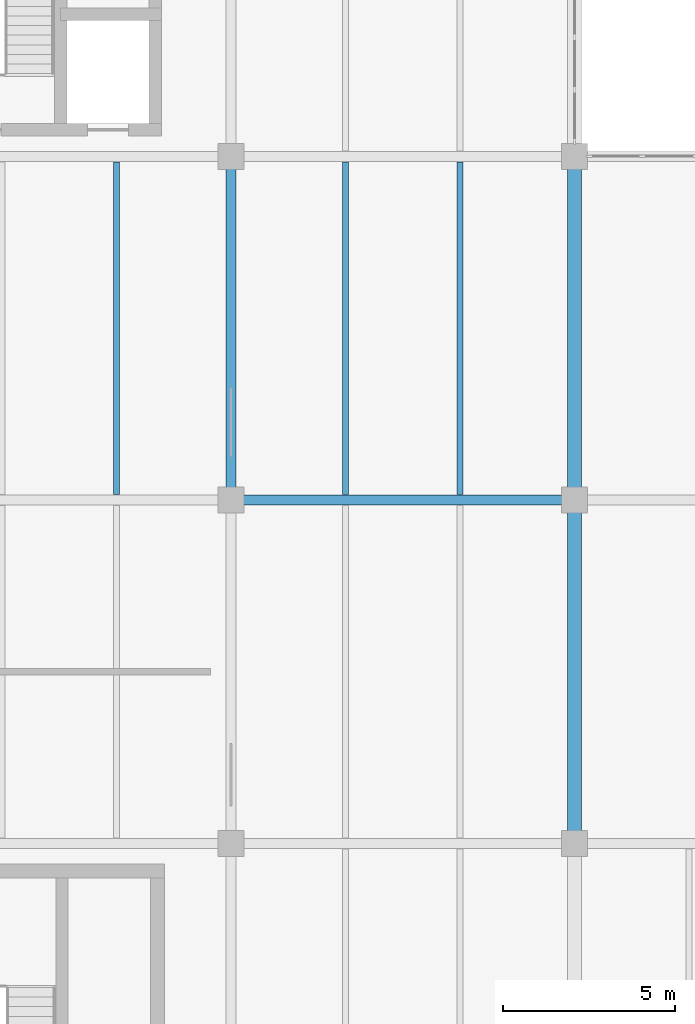
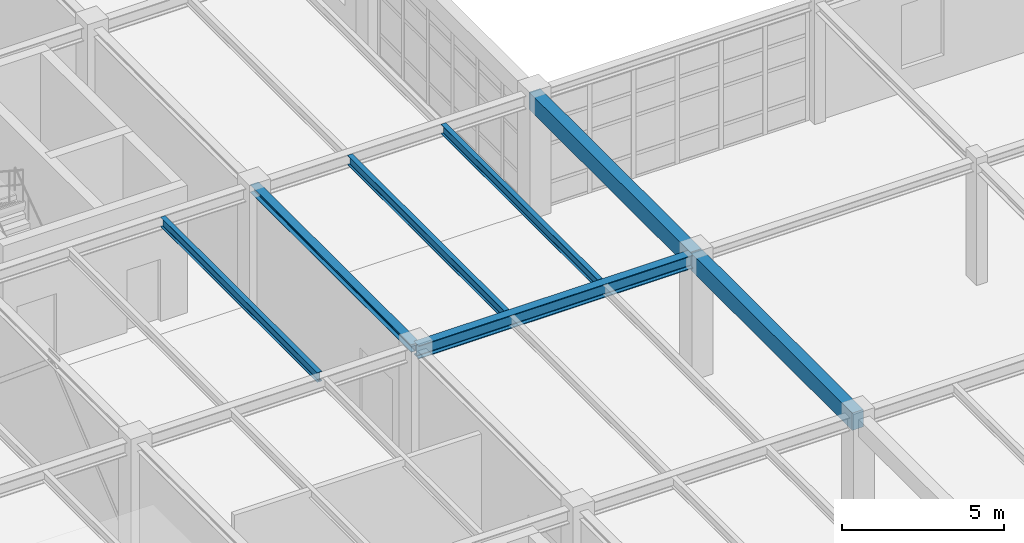
# One storey, part 32 of 139: 7 beams.
"""IFC4 building model written with IfcOpenShell, lengths in metres."""

from ifc_helpers import new_model, si_unit, direction, frame, origin, origin_2d, place, context, subcontext, project, spatial, rectangle, i_section, extrude, material, material_profile, profile_set, type_object, element, save


model = new_model("IFC4")

# Units and contexts
model_context = context("Model", 3, precision=1e-05, world=origin(), true_north=direction((0.0, 1.0)))
body_context = subcontext(model_context, "Body", "Model", "MODEL_VIEW")
ifc_project = project(units=[si_unit("LENGTHUNIT", "METRE"), si_unit("AREAUNIT", "SQUARE_METRE"), si_unit("VOLUMEUNIT", "CUBIC_METRE"), si_unit("PLANEANGLEUNIT", "RADIAN"), si_unit("MASSUNIT", "GRAM", prefix="KILO"), si_unit("THERMODYNAMICTEMPERATUREUNIT", "KELVIN"), si_unit("POWERUNIT", "WATT")], contexts=[model_context])

# Site, building, storey
site_placement = place(None, origin())
site = spatial("IfcSite", under=ifc_project, at=site_placement, CompositionType="ELEMENT")
building_placement = place(site_placement, origin())
building = spatial("IfcBuilding", under=site, at=building_placement, Name="Korenveer Ferry Terminal", CompositionType="ELEMENT")
storey_placement = place(building_placement, frame((0.0, 0.0, 5.39990234375)))
storey = spatial("IfcBuildingStorey", under=building, at=storey_placement, Name="L01", CompositionType="ELEMENT", Elevation=5.39990234375)

# Beams
ifc_material_1 = material(Name="Steel S355", Category="steel")
ifc_material_profile_1 = material_profile(ifc_material_1, i_section(OverallWidth=0.300048828125, OverallDepth=0.2900390625, WebThickness=0.008544921875, FlangeThickness=0.013916015625, FilletRadius=0.027099609375, at=origin_2d()), Name="HEA 300")
ifc_profile_set_1 = profile_set([ifc_material_profile_1], Name="Steel S355")
beam_type_1 = type_object("IfcBeamType", Name="STR-BM-HEA300", PredefinedType="BEAM", material=ifc_profile_set_1)
beam_1_placement = place(storey_placement, frame((20.0, 40.02001953125, 4.405029296875), z_axis=(0.0, 1.0, 0.0), x_axis=(-1.0, 0.0, 0.0)))
element("IfcBeam", 1, at=beam_1_placement, inside=storey, type_object=beam_type_1, Name="Primary Y girder BMY-L02-X20-Y40-50", PredefinedType="BEAM", context=body_context, shape_type="SweptSolid", body=[
    extrude(i_section(OverallWidth=0.300048828125, OverallDepth=0.2900390625, WebThickness=0.008544921875, FlangeThickness=0.013916015625, FilletRadius=0.027099609375, at=origin_2d()), origin(), (0.0, 0.0, 1.0), 9.9599609375),
])
ifc_material_profile_2 = material_profile(ifc_material_1, i_section(OverallWidth=0.300048828125, OverallDepth=0.5, WebThickness=0.014404296875, FlangeThickness=0.028076171875, FilletRadius=0.027099609375, at=origin_2d()), Name="HEB 500")
ifc_profile_set_2 = profile_set([ifc_material_profile_2], Name="Steel S355")
beam_type_2 = type_object("IfcBeamType", Name="STR-BM-HEB500", PredefinedType="BEAM", material=ifc_profile_set_2)
beam_2_placement = place(storey_placement, frame((20.02001953125, 40.0, 4.300048828125), z_axis=(1.0, 0.0, 0.0), x_axis=(0.0, 1.0, 0.0)))
element("IfcBeam", 2, at=beam_2_placement, inside=storey, type_object=beam_type_2, Name="Primary X girder BMX-L02-X20-30-Y40", PredefinedType="BEAM", context=body_context, shape_type="SweptSolid", body=[
    extrude(i_section(OverallWidth=0.300048828125, OverallDepth=0.5, WebThickness=0.014404296875, FlangeThickness=0.028076171875, FilletRadius=0.027099609375, at=origin_2d()), origin(), (0.0, 0.0, 1.0), 9.9599609375),
])
ifc_material_2 = material(Name="Concrete C40/50", Category="concrete")
ifc_material_profile_3 = material_profile(ifc_material_2, rectangle(XDim=0.39990234375, YDim=0.64990234375, at=origin_2d()), Name="RC 400x650")
ifc_profile_set_3 = profile_set([ifc_material_profile_3], Name="Concrete C40/50")
beam_type_3 = type_object("IfcBeamType", Name="STR-BM-RC400X650", PredefinedType="BEAM", material=ifc_profile_set_3)
for number, where, z_axis, x_axis, name in (
    (3, (30.0, 30.02001953125, 4.22509765625), (0.0, 1.0, 0.0), (-1.0, 0.0, 0.0), "Primary Y girder BMY-L02-X30-Y30-40"),
    (4, (30.0, 40.02001953125, 4.22509765625), (0.0, 1.0, 0.0), (-1.0, 0.0, 0.0), "Primary Y girder BMY-L02-X30-Y40-50"),
):
    element("IfcBeam", number, at=place(storey_placement, frame(where, z_axis=z_axis, x_axis=x_axis)), inside=storey, type_object=beam_type_3, Name=name, PredefinedType="BEAM", context=body_context, shape_type="SweptSolid", body=[
        extrude(rectangle(XDim=0.39990234375, YDim=0.64990234375, at=origin_2d()), origin(), (0.0, 0.0, 1.0), 9.9599609375),
    ])
ifc_material_profile_4 = material_profile(ifc_material_1, i_section(OverallWidth=0.169921875, OverallDepth=0.360107421875, WebThickness=0.008056640625, FlangeThickness=0.0126953125, FilletRadius=0.01806640625, at=origin_2d()), Name="IPE 360")
ifc_profile_set_4 = profile_set([ifc_material_profile_4], Name="Steel S355")
beam_type_4 = type_object("IfcBeamType", Name="STR-JST-IPE360", PredefinedType="JOIST", material=ifc_profile_set_4)
for number, where, z_axis, x_axis, name in (
    (5, (16.666748046875, 40.159912109375, 4.3701171875), (0.0, 1.0, 0.0), (-1.0, 0.0, 0.0), "Secondary composite joist JST-L02-X167-Y40-50"),
    (6, (23.333251953125, 40.159912109375, 4.3701171875), (0.0, 1.0, 0.0), (-1.0, 0.0, 0.0), "Secondary composite joist JST-L02-X233-Y40-50"),
    (7, (26.666748046875, 40.159912109375, 4.3701171875), (0.0, 1.0, 0.0), (-1.0, 0.0, 0.0), "Secondary composite joist JST-L02-X267-Y40-50"),
):
    element("IfcBeam", number, at=place(storey_placement, frame(where, z_axis=z_axis, x_axis=x_axis)), inside=storey, type_object=beam_type_4, Name=name, PredefinedType="JOIST", context=body_context, shape_type="SweptSolid", body=[
        extrude(i_section(OverallWidth=0.169921875, OverallDepth=0.360107421875, WebThickness=0.008056640625, FlangeThickness=0.0126953125, FilletRadius=0.01806640625, at=origin_2d()), origin(), (0.0, 0.0, 1.0), 9.68017578125),
    ])

save(model, "model.ifc")
